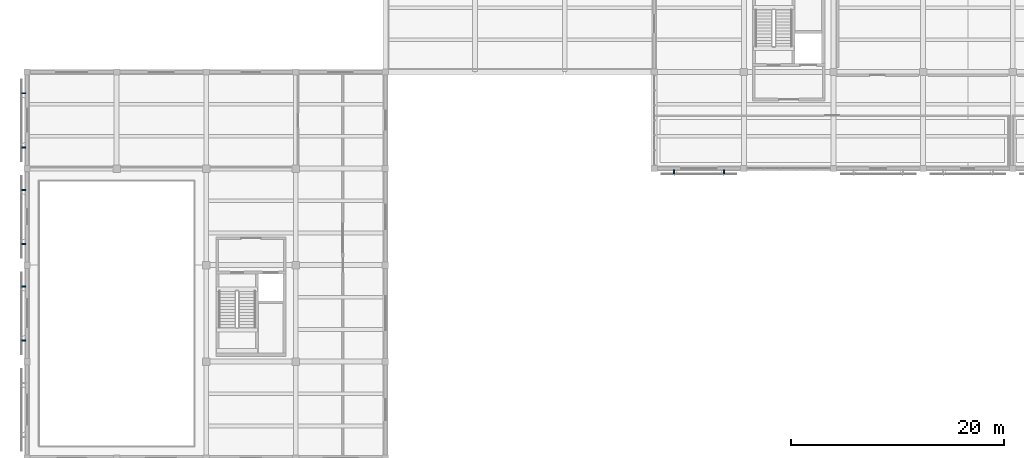
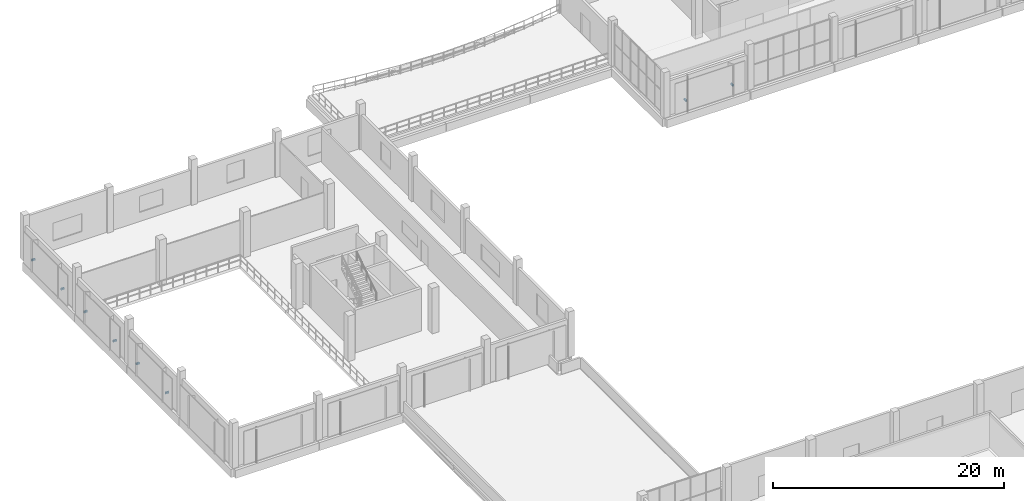
# One storey, part 67 of 80: 8 discrete accessories.
"""IFC4 building model written with IfcOpenShell, lengths in metres."""

from ifc_helpers import new_model, si_unit, direction, frame, origin, origin_2d, place, context, subcontext, project, spatial, rectangle, extrude, material, type_object, element, save


model = new_model("IFC4")

# Units and contexts
model_context = context("Model", 3, precision=1e-05, world=origin(), true_north=direction((0.0, 1.0)))
body_context = subcontext(model_context, "Body", "Model", "MODEL_VIEW")
ifc_project = project(units=[si_unit("LENGTHUNIT", "METRE"), si_unit("AREAUNIT", "SQUARE_METRE"), si_unit("VOLUMEUNIT", "CUBIC_METRE"), si_unit("PLANEANGLEUNIT", "RADIAN"), si_unit("MASSUNIT", "GRAM", prefix="KILO")], contexts=[model_context])

# Site, building, storey
site_placement = place(None, origin())
site = spatial("IfcSite", under=ifc_project, at=site_placement, CompositionType="ELEMENT")
building_placement = place(site_placement, origin())
building = spatial("IfcBuilding", under=site, at=building_placement, Name="Khurvash Pelagic Aquarium", CompositionType="ELEMENT")
storey_placement = place(building_placement, frame((0.0, 0.0, 10.800048828125)))
storey = spatial("IfcBuildingStorey", under=building, at=storey_placement, Name="L02", CompositionType="ELEMENT", Elevation=10.800048828125)

# Discrete accessories
ifc_material = material(Name="Hot-dip galvanised steel S355J2", Category="steel")
discrete_accessory_type = type_object("IfcDiscreteAccessoryType", Name="BK-01", PredefinedType="BRACKET", material=ifc_material)
for number, where, z_axis, x_axis, name in (
    (1, (60.6630859375, 83.7451171875, 1.10986328125), (0.0, 0.0, 1.0), (1.0, 0.0, 0.0), "L02 Jali Screen Support Bracket BK-01 0033"),
    (2, (65.3369140625, 83.7451171875, 1.10986328125), (0.0, 0.0, 1.0), (1.0, 0.0, 0.0), "L02 Jali Screen Support Bracket BK-01 0034"),
    (3, (-0.304931640625, 91.10693359375, 1.10986328125), (0.0, 0.0, 1.0), (0.0, -1.0, 0.0), "L02 Jali Screen Support Bracket BK-01 0049"),
    (4, (-0.304931640625, 86.04296875, 1.10986328125), (0.0, 0.0, 1.0), (0.0, -1.0, 0.0), "L02 Jali Screen Support Bracket BK-01 0050"),
    (5, (-0.304931640625, 82.056884765625, 1.10986328125), (0.0, 0.0, 1.0), (0.0, -1.0, 0.0), "L02 Jali Screen Support Bracket BK-01 0051"),
    (6, (-0.304931640625, 76.992919921875, 1.10986328125), (0.0, 0.0, 1.0), (0.0, -1.0, 0.0), "L02 Jali Screen Support Bracket BK-01 0052"),
    (7, (-0.304931640625, 73.007080078125, 1.10986328125), (0.0, 0.0, 1.0), (0.0, -1.0, 0.0), "L02 Jali Screen Support Bracket BK-01 0053"),
    (8, (-0.304931640625, 67.943115234375, 1.10986328125), (0.0, 0.0, 1.0), (0.0, -1.0, 0.0), "L02 Jali Screen Support Bracket BK-01 0054"),
):
    element("IfcDiscreteAccessory", number, at=place(storey_placement, frame(where, z_axis=z_axis, x_axis=x_axis)), inside=storey, type_object=discrete_accessory_type, Name=name, PredefinedType="BRACKET", context=body_context, shape_type="SweptSolid", body=[
        extrude(rectangle(XDim=0.139892578125, YDim=0.35009765625, at=origin_2d()), origin(), (0.0, 0.0, 1.0), 0.179931640625),
    ])

save(model, "model.ifc")
